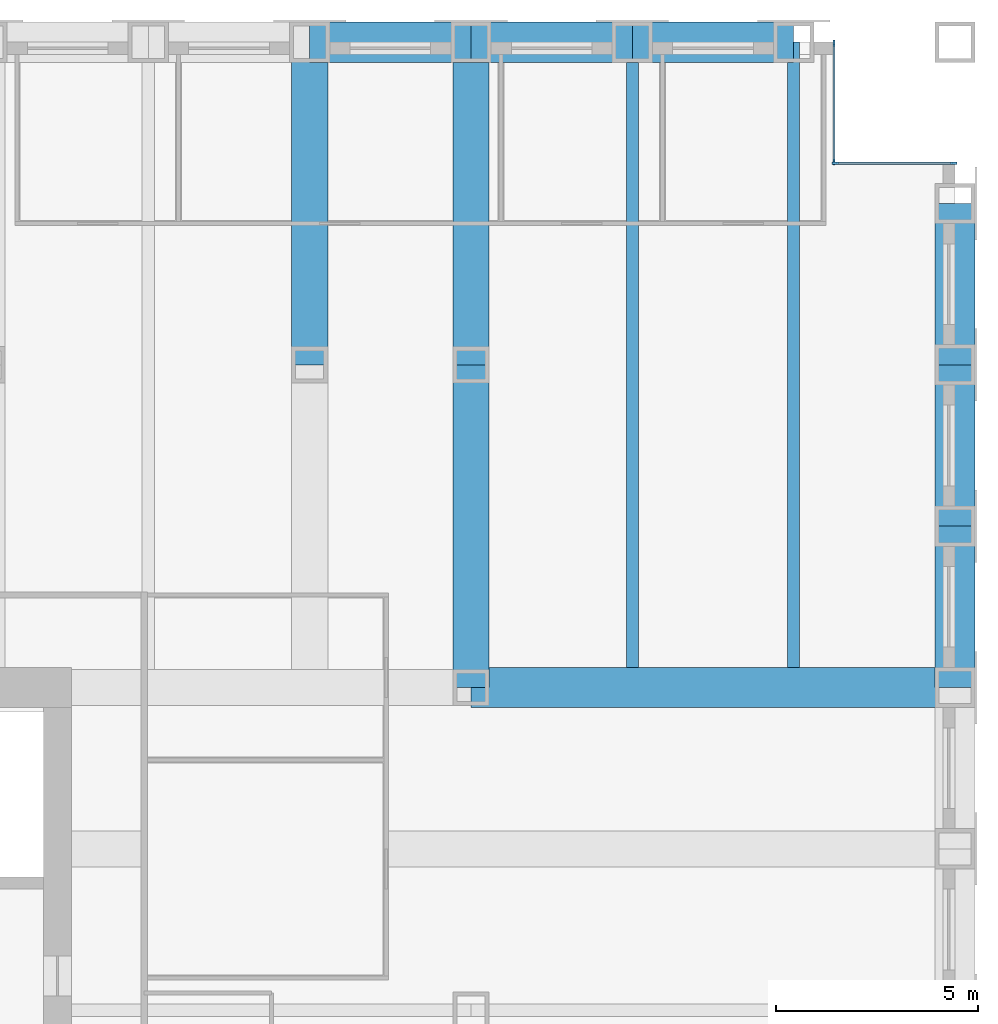
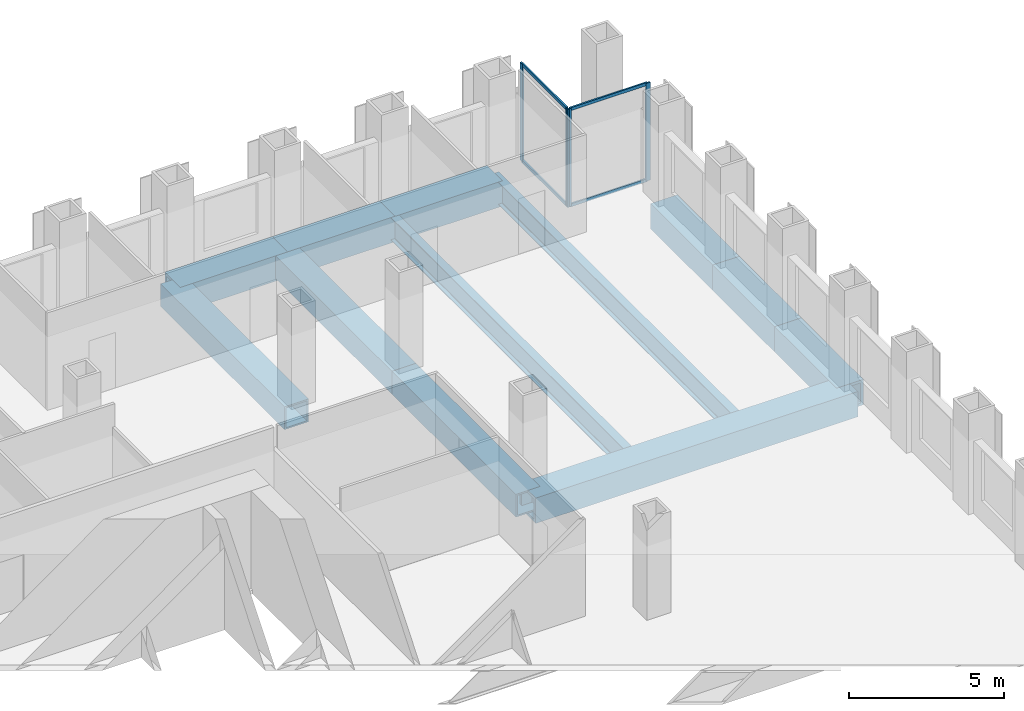
# One storey, part 9 of 15: 12 beams, 8 members, 2 elements without a shape of their own.
"""IFC4 building model written with IfcOpenShell, lengths in metres."""

from ifc_helpers import new_model, si_unit, direction, frame, origin, origin_2d, place, context, subcontext, project, spatial, rectangle, hollow_rectangle, i_section, extrude, material, material_profile, profile_set, type_object, element, aggregate, save


model = new_model("IFC4")

# Units and contexts
model_context = context("Model", 3, precision=1e-05, world=origin(), true_north=direction((0.0, 1.0)))
body_context = subcontext(model_context, "Body", "Model", "MODEL_VIEW")
ifc_project = project(units=[si_unit("LENGTHUNIT", "METRE"), si_unit("AREAUNIT", "SQUARE_METRE"), si_unit("VOLUMEUNIT", "CUBIC_METRE"), si_unit("PLANEANGLEUNIT", "RADIAN"), si_unit("MASSUNIT", "GRAM", prefix="KILO")], contexts=[model_context])

# Site, building, storey
site_placement = place(None, origin())
site = spatial("IfcSite", under=ifc_project, at=site_placement, CompositionType="ELEMENT")
building_placement = place(site_placement, origin())
building = spatial("IfcBuilding", under=site, at=building_placement, Name="Rimbunsela Tower", CompositionType="ELEMENT")
storey_placement = place(building_placement, frame((0.0, 0.0, 117.39990234375)))
storey = spatial("IfcBuildingStorey", under=building, at=storey_placement, Name="L28", CompositionType="ELEMENT", Elevation=117.39990234375)

# Beams
ifc_material_1 = material(Name="Steel BJ 55 (fy 410 MPa)", Category="steel")
ifc_material_profile_1 = material_profile(ifc_material_1, hollow_rectangle(XDim=1.0, YDim=1.0, WallThickness=0.10009765625, at=origin_2d()), Name="BOX 1000x1000x100")
ifc_profile_set_1 = profile_set([ifc_material_profile_1], Name="Steel BJ 55 (fy 410 MPa)")
beam_type_1 = type_object("IfcBeamType", Name="Beam BOX 1000x1000x100", PredefinedType="BEAM", material=ifc_profile_set_1)
beam_1_placement = place(storey_placement, frame((42.0, 52.0, -0.64990234375), z_axis=(1.0, 0.0, 0.0), x_axis=(0.0, 1.0, 0.0)))
element("IfcBeam", 1, at=beam_1_placement, inside=storey, type_object=beam_type_1, Name="Beam B3 L28", PredefinedType="BEAM", context=body_context, shape_type="SweptSolid", body=[
    extrude(hollow_rectangle(XDim=1.0, YDim=1.0, WallThickness=0.10009765625, at=origin_2d()), origin(), (0.0, 0.0, 1.0), 4.0),
])
beam_2_placement = place(storey_placement, frame((46.0, 36.0, -0.64990234375), z_axis=(1.0, 0.0, 0.0), x_axis=(0.0, 1.0, 0.0)))
element("IfcBeam", 2, at=beam_2_placement, inside=storey, type_object=beam_type_1, Name="Beam B3 L28", PredefinedType="BEAM", context=body_context, shape_type="SweptSolid", body=[
    extrude(hollow_rectangle(XDim=1.0, YDim=1.0, WallThickness=0.10009765625, at=origin_2d()), origin(), (0.0, 0.0, 1.0), 12.0),
])
for number, where, z_axis, x_axis, name in (
    (3, (46.0, 52.0, -0.64990234375), (1.0, 0.0, 0.0), (0.0, 1.0, 0.0), "Beam B3 L28"),
    (4, (50.0, 52.0, -0.64990234375), (1.0, 0.0, 0.0), (0.0, 1.0, 0.0), "Beam B3 L28"),
    (5, (58.0, 36.0, -0.64990234375), (0.0, 1.0, 0.0), (-1.0, 0.0, 0.0), "Beam B3 L28"),
    (6, (58.0, 40.0, -0.64990234375), (0.0, 1.0, 0.0), (-1.0, 0.0, 0.0), "Beam B3 L28"),
    (7, (58.0, 44.0, -0.64990234375), (0.0, 1.0, 0.0), (-1.0, 0.0, 0.0), "Beam B3 L28"),
):
    element("IfcBeam", number, at=place(storey_placement, frame(where, z_axis=z_axis, x_axis=x_axis)), inside=storey, type_object=beam_type_1, Name=name, PredefinedType="BEAM", context=body_context, shape_type="SweptSolid", body=[
        extrude(hollow_rectangle(XDim=1.0, YDim=1.0, WallThickness=0.10009765625, at=origin_2d()), origin(), (0.0, 0.0, 1.0), 4.0),
    ])
ifc_material_2 = material(Name="Steel BJ 55 (fy 410 MPa)", Category="steel")
ifc_material_profile_2 = material_profile(ifc_material_2, hollow_rectangle(XDim=0.89990234375, YDim=0.89990234375, WallThickness=0.06005859375, at=origin_2d()), Name="BOX 900x900x60")
ifc_profile_set_2 = profile_set([ifc_material_profile_2], Name="Steel BJ 55 (fy 410 MPa)")
beam_type_2 = type_object("IfcBeamType", Name="Beam BOX 900x900x60", PredefinedType="BEAM", material=ifc_profile_set_2)
for number, where, z_axis, x_axis, name in (
    (8, (42.0, 44.0, -0.599853515625), (0.0, 1.0, 0.0), (-1.0, 0.0, 0.0), "Beam B1 L28"),
    (9, (46.0, 36.0, -0.599853515625), (0.0, 1.0, 0.0), (-1.0, 0.0, 0.0), "Beam B1 L28"),
    (10, (46.0, 44.0, -0.599853515625), (0.0, 1.0, 0.0), (-1.0, 0.0, 0.0), "Beam B1 L28"),
):
    element("IfcBeam", number, at=place(storey_placement, frame(where, z_axis=z_axis, x_axis=x_axis)), inside=storey, type_object=beam_type_2, Name=name, PredefinedType="BEAM", context=body_context, shape_type="SweptSolid", body=[
        extrude(hollow_rectangle(XDim=0.89990234375, YDim=0.89990234375, WallThickness=0.06005859375, at=origin_2d()), origin(), (0.0, 0.0, 1.0), 8.0),
    ])
ifc_material_3 = material(Name="Steel BJ 55 (fy 410 MPa)", Category="steel")
ifc_material_profile_3 = material_profile(ifc_material_3, i_section(OverallWidth=0.300048828125, OverallDepth=0.89990234375, WebThickness=0.01611328125, FlangeThickness=0.028076171875, FilletRadius=0.028076171875, at=origin_2d()), Name="H 900x300x16x28")
ifc_profile_set_3 = profile_set([ifc_material_profile_3], Name="Steel BJ 55 (fy 410 MPa)")
beam_type_3 = type_object("IfcBeamType", Name="Beam H 900x300x16x28", PredefinedType="BEAM", material=ifc_profile_set_3)
for number, where, z_axis, x_axis, name in (
    (11, (50.0, 36.5, -0.599853515625), (0.0, 1.0, 0.0), (-1.0, 0.0, 0.0), "Beam B2 L28"),
    (12, (54.0, 36.5, -0.599853515625), (0.0, 1.0, 0.0), (-1.0, 0.0, 0.0), "Beam B2 L28"),
):
    element("IfcBeam", number, at=place(storey_placement, frame(where, z_axis=z_axis, x_axis=x_axis)), inside=storey, type_object=beam_type_3, Name=name, PredefinedType="BEAM", context=body_context, shape_type="SweptSolid", body=[
        extrude(i_section(OverallWidth=0.300048828125, OverallDepth=0.89990234375, WebThickness=0.01611328125, FlangeThickness=0.028076171875, FilletRadius=0.028076171875, at=origin_2d()), origin(), (0.0, 0.0, 1.0), 15.5),
    ])

# Curtain wall, members
ifc_material_4 = material(Name="Aluminium curtain wall", Category="aluminium")
curtain_wall_type = type_object("IfcCurtainWallType", Name="Corner glazing", PredefinedType="USERDEFINED", material=ifc_material_4)
curtain_wall_1_placement = place(storey_placement, origin())
curtain_wall_1 = element("IfcCurtainWall", 13, at=curtain_wall_1_placement, inside=storey, type_object=curtain_wall_type, Name="Corner glazing L28", ObjectType="CORNER GLAZING", PredefinedType="USERDEFINED")
ifc_material_5 = material(Name="Aluminium mullion", Category="aluminium")
ifc_material_profile_4 = material_profile(ifc_material_5, rectangle(XDim=0.06005859375, YDim=0.159912109375, at=origin_2d()), Name="Mullion 60x160")
ifc_profile_set_4 = profile_set([ifc_material_profile_4], Name="Aluminium mullion")
member_type_1 = type_object("IfcMemberType", Name="Curtain wall mullion 60x160", PredefinedType="MULLION", material=ifc_profile_set_4)
member_1_placement = place(storey_placement, frame((57.969970703125, 49.0, 0.0), z_axis=(0.0, 0.0, 1.0), x_axis=(0.0, -1.0, 0.0)))
member_1 = element("IfcMember", 14, at=member_1_placement, type_object=member_type_1, Name="CW5 mullion 1", PredefinedType="MULLION", context=body_context, shape_type="SweptSolid", body=[
    extrude(rectangle(XDim=0.06005859375, YDim=0.159912109375, at=origin_2d()), origin(), (0.0, 0.0, 1.0), 3.85009765625),
])
member_2_placement = place(storey_placement, frame((55.030029296875, 49.0, 0.0), z_axis=(0.0, 0.0, 1.0), x_axis=(0.0, -1.0, 0.0)))
member_2 = element("IfcMember", 15, at=member_2_placement, type_object=member_type_1, Name="CW5 mullion 2", PredefinedType="MULLION", context=body_context, shape_type="SweptSolid", body=[
    extrude(rectangle(XDim=0.06005859375, YDim=0.159912109375, at=origin_2d()), origin(), (0.0, 0.0, 1.0), 3.85009765625),
])

curtain_wall_2_placement = place(storey_placement, origin())
curtain_wall_2 = element("IfcCurtainWall", 16, at=curtain_wall_2_placement, inside=storey, type_object=curtain_wall_type, Name="Corner glazing L28", ObjectType="CORNER GLAZING", PredefinedType="USERDEFINED")
member_3_placement = place(storey_placement, frame((55.0, 49.030029296875, 0.0), z_axis=(0.0, 0.0, 1.0), x_axis=(-1.0, 0.0, 0.0)))
member_3 = element("IfcMember", 17, at=member_3_placement, type_object=member_type_1, Name="CW5 mullion 1", PredefinedType="MULLION", context=body_context, shape_type="SweptSolid", body=[
    extrude(rectangle(XDim=0.06005859375, YDim=0.159912109375, at=origin_2d()), origin(), (0.0, 0.0, 1.0), 3.85009765625),
])
member_4_placement = place(storey_placement, frame((55.0, 51.969970703125, 0.0), z_axis=(0.0, 0.0, 1.0), x_axis=(-1.0, 0.0, 0.0)))
member_4 = element("IfcMember", 18, at=member_4_placement, type_object=member_type_1, Name="CW5 mullion 2", PredefinedType="MULLION", context=body_context, shape_type="SweptSolid", body=[
    extrude(rectangle(XDim=0.06005859375, YDim=0.159912109375, at=origin_2d()), origin(), (0.0, 0.0, 1.0), 3.85009765625),
])

# Member
ifc_material_6 = material(Name="Aluminium transom", Category="aluminium")
ifc_material_profile_5 = material_profile(ifc_material_6, rectangle(XDim=0.06005859375, YDim=0.1201171875, at=origin_2d()), Name="Transom 60x120")
ifc_profile_set_5 = profile_set([ifc_material_profile_5], Name="Aluminium transom")
member_type_2 = type_object("IfcMemberType", Name="Curtain wall transom 60x120", PredefinedType="USERDEFINED", material=ifc_profile_set_5)
member_5_placement = place(storey_placement, frame((57.93994140625, 49.0, 0.030029296875), z_axis=(-1.0, 0.0, 0.0), x_axis=(0.0, -1.0, 0.0)))
member_5 = element("IfcMember", 19, at=member_5_placement, type_object=member_type_2, Name="CW5 transom 1.1", ObjectType="TRANSOM", PredefinedType="USERDEFINED", context=body_context, shape_type="SweptSolid", body=[
    extrude(rectangle(XDim=0.06005859375, YDim=0.1201171875, at=origin_2d()), origin(), (0.0, 0.0, 1.0), 2.8798828125),
])

member_6_placement = place(storey_placement, frame((57.93994140625, 49.0, 3.820068359375), z_axis=(-1.0, 0.0, 0.0), x_axis=(0.0, -1.0, 0.0)))
member_6 = element("IfcMember", 20, at=member_6_placement, type_object=member_type_2, Name="CW5 transom 1.2", ObjectType="TRANSOM", PredefinedType="USERDEFINED", context=body_context, shape_type="SweptSolid", body=[
    extrude(rectangle(XDim=0.06005859375, YDim=0.1201171875, at=origin_2d()), origin(), (0.0, 0.0, 1.0), 2.8798828125),
])

aggregate(curtain_wall_1, [member_1, member_2, member_5, member_6])

member_7_placement = place(storey_placement, frame((55.0, 49.06005859375, 0.030029296875), z_axis=(0.0, 1.0, 0.0), x_axis=(-1.0, 0.0, 0.0)))
member_7 = element("IfcMember", 21, at=member_7_placement, type_object=member_type_2, Name="CW5 transom 1.1", ObjectType="TRANSOM", PredefinedType="USERDEFINED", context=body_context, shape_type="SweptSolid", body=[
    extrude(rectangle(XDim=0.06005859375, YDim=0.1201171875, at=origin_2d()), origin(), (0.0, 0.0, 1.0), 2.8798828125),
])

member_8_placement = place(storey_placement, frame((55.0, 49.06005859375, 3.820068359375), z_axis=(0.0, 1.0, 0.0), x_axis=(-1.0, 0.0, 0.0)))
member_8 = element("IfcMember", 22, at=member_8_placement, type_object=member_type_2, Name="CW5 transom 1.2", ObjectType="TRANSOM", PredefinedType="USERDEFINED", context=body_context, shape_type="SweptSolid", body=[
    extrude(rectangle(XDim=0.06005859375, YDim=0.1201171875, at=origin_2d()), origin(), (0.0, 0.0, 1.0), 2.8798828125),
])

aggregate(curtain_wall_2, [member_3, member_4, member_7, member_8])

save(model, "model.ifc")
